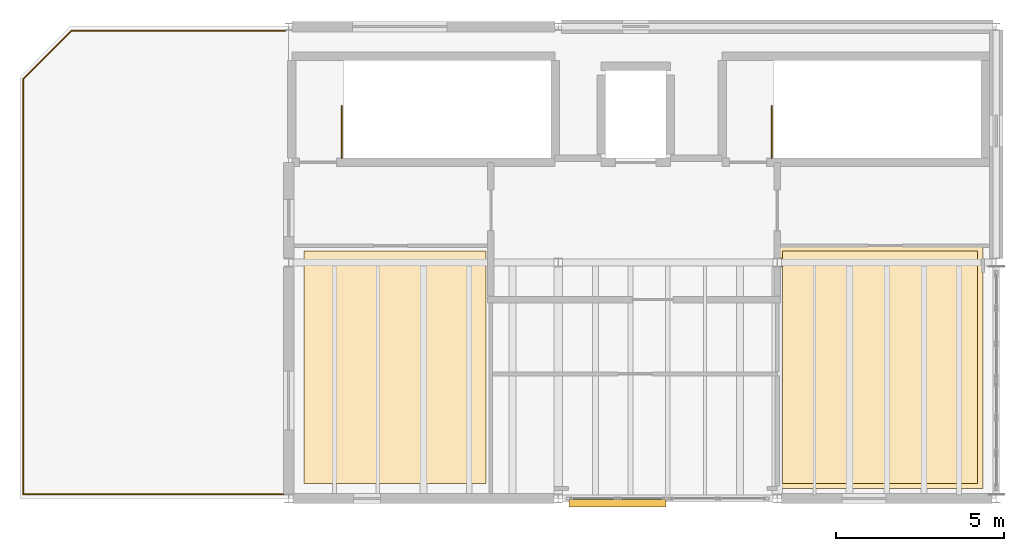
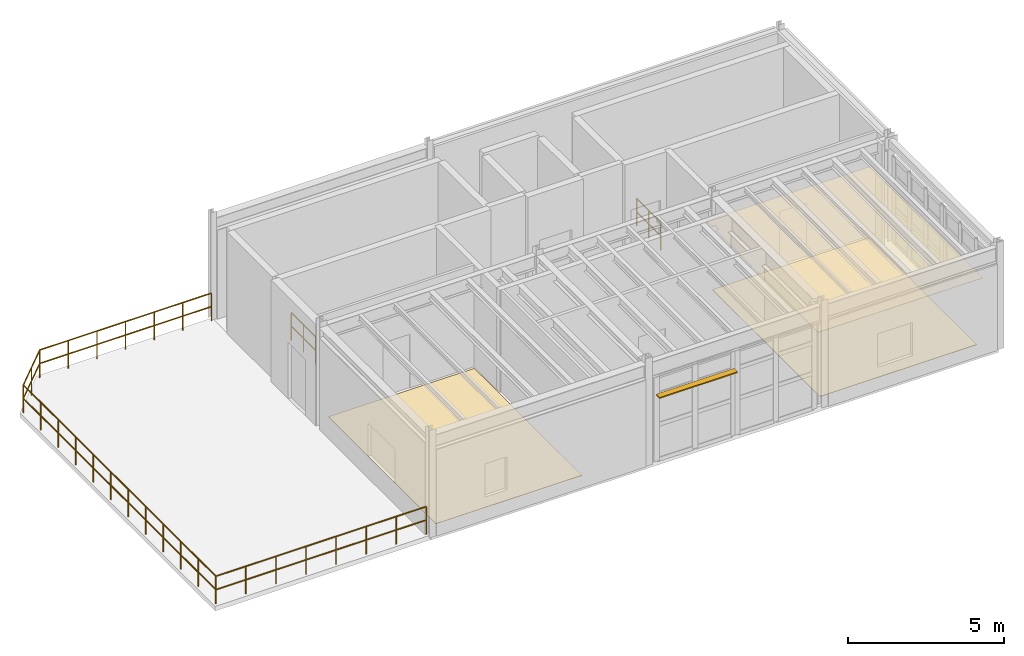
# One storey, part 8 of 8: 3 coverings, 3 railings, 1 shading device.
"""IFC4 building model written with IfcOpenShell, lengths in metres."""

from ifc_helpers import new_model, si_unit, direction, frame, origin, origin_2d, place, context, subcontext, project, spatial, polyline, rectangle, circle, outline, extrude, material, layer, layer_set, type_object, element, save


model = new_model("IFC4")

# Units and contexts
model_context = context("Model", 3, precision=1e-05, world=origin(), true_north=direction((0.0, 1.0)))
body_context = subcontext(model_context, "Body", "Model", "MODEL_VIEW")
ifc_project = project(units=[si_unit("LENGTHUNIT", "METRE"), si_unit("AREAUNIT", "SQUARE_METRE"), si_unit("VOLUMEUNIT", "CUBIC_METRE"), si_unit("PLANEANGLEUNIT", "RADIAN"), si_unit("MASSUNIT", "GRAM", prefix="KILO"), si_unit("THERMODYNAMICTEMPERATUREUNIT", "KELVIN"), si_unit("POWERUNIT", "WATT")], contexts=[model_context])

# Site, building, storey
site_placement = place(None, origin())
site = spatial("IfcSite", under=ifc_project, at=site_placement, CompositionType="ELEMENT")
building_placement = place(site_placement, origin())
building = spatial("IfcBuilding", under=site, at=building_placement, Name="Zhenchuan Central Fire Station", CompositionType="ELEMENT")
storey_placement = place(building_placement, frame((0.0, 0.0, 22.64990234375)))
storey = spatial("IfcBuildingStorey", under=building, at=storey_placement, Name="L06", CompositionType="ELEMENT", Elevation=22.64990234375)

# Coverings
ifc_material_1 = material(Name="Gypsum plasterboard acoustic ceiling", Category="gypsum")
ifc_layer_1 = layer(ifc_material_1, 0.01806640625, Name="Gypsum plasterboard acoustic ceiling", Category="gypsum")
ifc_layer_set_1 = layer_set([ifc_layer_1], Name="Gypsum plasterboard acoustic ceiling")
covering_type_1 = type_object("IfcCoveringType", Name="COV-CEIL-GYP", PredefinedType="CEILING", material=ifc_layer_set_1)
covering_1_placement = place(storey_placement, frame((0.0, 0.0, 2.650146484375)))
element("IfcCovering", 1, at=covering_1_placement, inside=storey, type_object=covering_type_1, Name="Tower Observation Control Room Acoustic Ceiling", PredefinedType="CEILING", context=body_context, shape_type="SweptSolid", body=[
    extrude(outline(polyline([(154.5, 50.0), (160.60009765625, 50.0), (160.60009765625, 42.800048828125), (154.5, 42.800048828125), (154.5, 49.3701171875), (154.6298828125, 49.3701171875), (154.6298828125, 49.6298828125), (154.5, 49.6298828125), (154.5, 50.0)])), origin(), (0.0, 0.0, 1.0), 0.01806640625),
])
ifc_material_2 = material(Name="Heavy-duty slip-resistant ceramic tile flooring")
ifc_layer_2 = layer(ifc_material_2, 0.014892578125, Name="Heavy-duty slip-resistant ceramic tile flooring")
ifc_layer_set_2 = layer_set([ifc_layer_2], Name="Heavy-duty slip-resistant ceramic tile flooring")
covering_type_2 = type_object("IfcCoveringType", Name="COV-FLR-RES", PredefinedType="FLOORING", material=ifc_layer_set_2)
covering_2_placement = place(storey_placement, origin())
element("IfcCovering", 2, at=covering_2_placement, inside=storey, type_object=covering_type_2, Name="High-Angle Rescue Training Room Ceramic Tile Flooring", PredefinedType="FLOORING", context=body_context, shape_type="SweptSolid", body=[
    extrude(outline(polyline([(140.449951171875, 42.949951171875), (145.85009765625, 42.949951171875), (145.85009765625, 49.85009765625), (140.449951171875, 49.85009765625), (140.449951171875, 42.949951171875)])), origin(), (0.0, 0.0, 1.0), 0.01513671875),
])
covering_3_placement = place(storey_placement, origin())
element("IfcCovering", 3, at=covering_3_placement, inside=storey, type_object=covering_type_2, Name="Tower Observation Control Room Ceramic Tile Flooring", PredefinedType="FLOORING", context=body_context, shape_type="SweptSolid", body=[
    extrude(outline(polyline([(154.64990234375, 42.949951171875), (160.449951171875, 42.949951171875), (160.449951171875, 49.85009765625), (154.64990234375, 49.85009765625), (154.64990234375, 42.949951171875)])), origin(), (0.0, 0.0, 1.0), 0.01513671875),
])

# Railings
ifc_material_3 = material(Name="Galvanised powder-coated steel", Category="steel")
railing_type_1 = type_object("IfcRailingType", Name="RL-EXT-GRD", PredefinedType="GUARDRAIL", material=ifc_material_3)
railing_placement = place(storey_placement, frame((139.89990234375, 42.6201171875, 0.0)))
element("IfcRailing", 4, at=railing_placement, inside=storey, type_object=railing_type_1, Name="GRD-L06-V6TER", PredefinedType="GUARDRAIL", context=body_context, shape_type="SweptSolid", body=[
    extrude(circle(Radius=0.02392578125, at=origin_2d()), frame((0.0, 0.0, 1.076171875), z_axis=(-1.0, 0.0, 0.0), x_axis=(0.0, -1.0, 0.0)), (0.0, 0.0, 1.0), 7.77978515625),
    extrude(circle(Radius=0.02392578125, at=origin_2d()), frame((0.0, 0.0, 0.550048828125), z_axis=(-1.0, 0.0, 0.0), x_axis=(0.0, -1.0, 0.0)), (0.0, 0.0, 1.0), 7.77978515625),
    extrude(circle(Radius=0.02392578125, at=origin_2d()), frame((-7.77978515625, 0.0, 1.076171875), z_axis=(0.0, 1.0, 0.0), x_axis=(-1.0, 0.0, 0.0)), (0.0, 0.0, 1.0), 12.329833984375),
    extrude(circle(Radius=0.02392578125, at=origin_2d()), frame((-7.77978515625, 0.0, 0.550048828125), z_axis=(0.0, 1.0, 0.0), x_axis=(-1.0, 0.0, 0.0)), (0.0, 0.0, 1.0), 12.329833984375),
    extrude(circle(Radius=0.02392578125, at=origin_2d()), frame((-7.77978515625, 12.329833984375, 1.076171875), z_axis=(0.707106781187, 0.707106781187, 0.0), x_axis=(-0.707106781187, 0.707106781187, 0.0)), (0.0, 0.0, 1.0), 2.022216796875),
    extrude(circle(Radius=0.02392578125, at=origin_2d()), frame((-7.77978515625, 12.329833984375, 0.550048828125), z_axis=(0.707106781187, 0.707106781187, 0.0), x_axis=(-0.707106781187, 0.707106781187, 0.0)), (0.0, 0.0, 1.0), 2.022216796875),
    extrude(circle(Radius=0.02392578125, at=origin_2d()), frame((-6.349853515625, 13.759765625, 1.076171875), z_axis=(1.0, 0.0, 0.0), x_axis=(0.0, 1.0, 0.0)), (0.0, 0.0, 1.0), 6.349853515625),
    extrude(circle(Radius=0.02392578125, at=origin_2d()), frame((-6.349853515625, 13.759765625, 0.550048828125), z_axis=(1.0, 0.0, 0.0), x_axis=(0.0, 1.0, 0.0)), (0.0, 0.0, 1.0), 6.349853515625),
    extrude(circle(Radius=0.02099609375, at=origin_2d()), origin(), (0.0, 0.0, 1.0), 1.052001953125),
    extrude(circle(Radius=0.02099609375, at=origin_2d()), frame((-1.111328125, 0.0, 0.0)), (0.0, 0.0, 1.0), 1.052001953125),
    extrude(circle(Radius=0.02099609375, at=origin_2d()), frame((-2.222900390625, 0.0, 0.0)), (0.0, 0.0, 1.0), 1.052001953125),
    extrude(circle(Radius=0.02099609375, at=origin_2d()), frame((-3.334228515625, 0.0, 0.0)), (0.0, 0.0, 1.0), 1.052001953125),
    extrude(circle(Radius=0.02099609375, at=origin_2d()), frame((-4.445556640625, 0.0, 0.0)), (0.0, 0.0, 1.0), 1.052001953125),
    extrude(circle(Radius=0.02099609375, at=origin_2d()), frame((-5.556884765625, 0.0, 0.0)), (0.0, 0.0, 1.0), 1.052001953125),
    extrude(circle(Radius=0.02099609375, at=origin_2d()), frame((-6.66845703125, 0.0, 0.0)), (0.0, 0.0, 1.0), 1.052001953125),
    extrude(circle(Radius=0.02099609375, at=origin_2d()), frame((-7.77978515625, 0.0, 0.0)), (0.0, 0.0, 1.0), 1.052001953125),
    extrude(circle(Radius=0.02099609375, at=origin_2d()), frame((-7.77978515625, 1.120849609375, 0.0)), (0.0, 0.0, 1.0), 1.052001953125),
    extrude(circle(Radius=0.02099609375, at=origin_2d()), frame((-7.77978515625, 2.24169921875, 0.0)), (0.0, 0.0, 1.0), 1.052001953125),
    extrude(circle(Radius=0.02099609375, at=origin_2d()), frame((-7.77978515625, 3.36279296875, 0.0)), (0.0, 0.0, 1.0), 1.052001953125),
    extrude(circle(Radius=0.02099609375, at=origin_2d()), frame((-7.77978515625, 4.483642578125, 0.0)), (0.0, 0.0, 1.0), 1.052001953125),
    extrude(circle(Radius=0.02099609375, at=origin_2d()), frame((-7.77978515625, 5.6044921875, 0.0)), (0.0, 0.0, 1.0), 1.052001953125),
    extrude(circle(Radius=0.02099609375, at=origin_2d()), frame((-7.77978515625, 6.725341796875, 0.0)), (0.0, 0.0, 1.0), 1.052001953125),
    extrude(circle(Radius=0.02099609375, at=origin_2d()), frame((-7.77978515625, 7.84619140625, 0.0)), (0.0, 0.0, 1.0), 1.052001953125),
    extrude(circle(Radius=0.02099609375, at=origin_2d()), frame((-7.77978515625, 8.967041015625, 0.0)), (0.0, 0.0, 1.0), 1.052001953125),
    extrude(circle(Radius=0.02099609375, at=origin_2d()), frame((-7.77978515625, 10.088134765625, 0.0)), (0.0, 0.0, 1.0), 1.052001953125),
    extrude(circle(Radius=0.02099609375, at=origin_2d()), frame((-7.77978515625, 11.208984375, 0.0)), (0.0, 0.0, 1.0), 1.052001953125),
    extrude(circle(Radius=0.02099609375, at=origin_2d()), frame((-7.77978515625, 12.329833984375, 0.0)), (0.0, 0.0, 1.0), 1.052001953125),
    extrude(circle(Radius=0.02099609375, at=origin_2d()), frame((-7.06494140625, 13.044921875, 0.0)), (0.0, 0.0, 1.0), 1.052001953125),
    extrude(circle(Radius=0.02099609375, at=origin_2d()), frame((-6.349853515625, 13.759765625, 0.0)), (0.0, 0.0, 1.0), 1.052001953125),
    extrude(circle(Radius=0.02099609375, at=origin_2d()), frame((-5.29150390625, 13.759765625, 0.0)), (0.0, 0.0, 1.0), 1.052001953125),
    extrude(circle(Radius=0.02099609375, at=origin_2d()), frame((-4.233154296875, 13.759765625, 0.0)), (0.0, 0.0, 1.0), 1.052001953125),
    extrude(circle(Radius=0.02099609375, at=origin_2d()), frame((-3.1748046875, 13.759765625, 0.0)), (0.0, 0.0, 1.0), 1.052001953125),
    extrude(circle(Radius=0.02099609375, at=origin_2d()), frame((-2.11669921875, 13.759765625, 0.0)), (0.0, 0.0, 1.0), 1.052001953125),
    extrude(circle(Radius=0.02099609375, at=origin_2d()), frame((-1.058349609375, 13.759765625, 0.0)), (0.0, 0.0, 1.0), 1.052001953125),
    extrude(circle(Radius=0.02099609375, at=origin_2d()), frame((0.0, 13.759765625, 0.0)), (0.0, 0.0, 1.0), 1.052001953125),
])
railing_type_2 = type_object("IfcRailingType", Name="RL-ST-GRD", PredefinedType="GUARDRAIL", material=ifc_material_3)
for number, where, name in (
    (5, (141.570068359375, 52.60009765625, 0.0), "L06 ST-12 top well guard 1"),
    (6, (154.340087890625, 52.60009765625, 0.0), "L06 ST-13 top well guard 1"),
):
    element("IfcRailing", number, at=place(storey_placement, frame(where)), inside=storey, type_object=railing_type_2, Name=name, PredefinedType="GUARDRAIL", context=body_context, shape_type="SweptSolid", body=[
        extrude(circle(Radius=0.02392578125, at=origin_2d()), frame((0.0, 0.0, 1.076171875), z_axis=(0.0, 1.0, 0.0), x_axis=(-1.0, 0.0, 0.0)), (0.0, 0.0, 1.0), 1.5498046875),
        extrude(circle(Radius=0.02392578125, at=origin_2d()), frame((0.0, 0.0, 0.550048828125), z_axis=(0.0, 1.0, 0.0), x_axis=(-1.0, 0.0, 0.0)), (0.0, 0.0, 1.0), 1.5498046875),
        extrude(circle(Radius=0.02099609375, at=origin_2d()), origin(), (0.0, 0.0, 1.0), 1.052001953125),
        extrude(circle(Radius=0.02099609375, at=origin_2d()), frame((0.0, 0.77490234375, 0.0)), (0.0, 0.0, 1.0), 1.052001953125),
        extrude(circle(Radius=0.02099609375, at=origin_2d()), frame((0.0, 1.5498046875, 0.0)), (0.0, 0.0, 1.0), 1.052001953125),
    ])

# Shading device
ifc_material_4 = material(Name="Anodised aluminium EN AW-6063", Category="aluminium")
ifc_layer_3 = layer(ifc_material_4, 0.0400390625, Name="Anodised aluminium EN AW-6063", Category="aluminium")
ifc_layer_set_3 = layer_set([ifc_layer_3], Name="Anodised aluminium EN AW-6063")
shading_device_type = type_object("IfcShadingDeviceType", Name="SHD-ALU-FIN", PredefinedType="JALOUSIE", material=ifc_layer_set_3)
shading_device_placement = place(storey_placement, frame((149.756103515625, 42.361572265625, 2.5703125), z_axis=(0.0, 0.0, 1.0), x_axis=(1.0, 0.0, 0.0)))
element("IfcShadingDevice", 7, at=shading_device_placement, inside=storey, type_object=shading_device_type, Name="Perforated Aluminium Sun-Shading Louvre 021", PredefinedType="JALOUSIE", context=body_context, shape_type="SweptSolid", body=[
    extrude(rectangle(XDim=2.8720703125, YDim=0.219970703125, at=origin_2d()), origin(), (0.0, 0.0, 1.0), 0.044921875),
])

save(model, "model.ifc")
